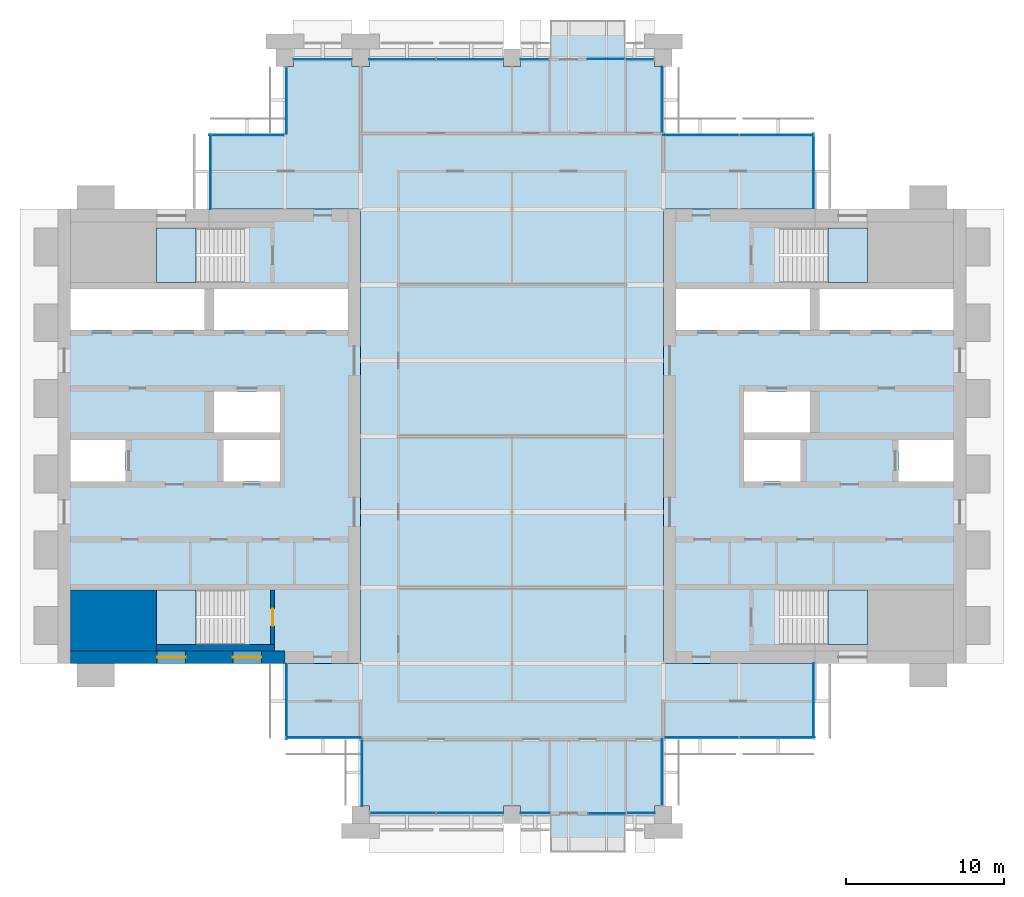
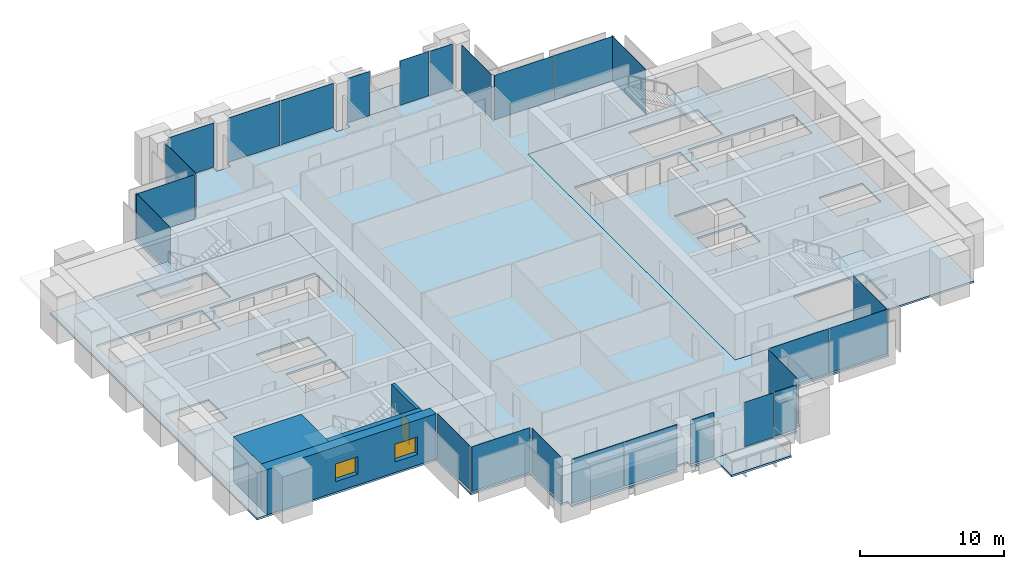
# One storey, part 7 of 14: 25 plates, 9 slabs, 4 walls, 2 windows, 1 door, 3 openings, 22 elements without a shape of their own.
"""IFC4 building model written with IfcOpenShell, lengths in metres."""

from ifc_helpers import new_model, si_unit, direction, frame, frame_2d, origin, origin_2d, place, context, subcontext, project, spatial, polyline, rectangle, outline, extrude, material, layer, layer_set, type_object, element, fill, aggregate, save


model = new_model("IFC4")

# Units and contexts
model_context = context("Model", 3, precision=1e-05, world=origin(), true_north=direction((0.0, 1.0)))
body_context = subcontext(model_context, "Body", "Model", "MODEL_VIEW")
ifc_project = project(units=[si_unit("LENGTHUNIT", "METRE"), si_unit("AREAUNIT", "SQUARE_METRE"), si_unit("VOLUMEUNIT", "CUBIC_METRE"), si_unit("PLANEANGLEUNIT", "RADIAN"), si_unit("MASSUNIT", "GRAM", prefix="KILO")], contexts=[model_context])

# Site, building, storey
site_placement = place(None, origin())
site = spatial("IfcSite", under=ifc_project, at=site_placement, CompositionType="ELEMENT")
building_placement = place(site_placement, origin())
building = spatial("IfcBuilding", under=site, at=building_placement, Name="Baori Bourse Tower", CompositionType="ELEMENT")
storey_placement = place(building_placement, frame((0.0, 0.0, 221.199951171875)))
storey = spatial("IfcBuildingStorey", under=building, at=storey_placement, Name="L48", CompositionType="ELEMENT", Elevation=221.199951171875)

# Slabs
ifc_material_1 = material(Name="Concrete f'c 40 MPa", Category="concrete")
ifc_layer_1 = layer(ifc_material_1, 0.159912109375)
ifc_layer_set_1 = layer_set([ifc_layer_1], Name="BL2 Balcony slab 160")
slab_type_1 = type_object("IfcSlabType", Name="BL2 Balcony slab 160", PredefinedType="FLOOR", material=ifc_layer_set_1)
slab_1_placement = place(storey_placement, frame((0.0, 0.0, -0.159912109375)))
element("IfcSlab", 1, at=slab_1_placement, inside=storey, type_object=slab_type_1, Name="Balcony slab L48 S", PredefinedType="FLOOR", context=body_context, shape_type="SweptSolid", body=[
    extrude(outline(polyline([(31.199951171875, 0.0), (31.199951171875, -2.39990234375), (36.0, -2.39990234375), (36.0, 0.0), (31.199951171875, 0.0)])), origin(), (0.0, 0.0, 1.0), 0.159912109375),
])
slab_2_placement = place(storey_placement, frame((0.0, 0.0, -0.159912109375)))
element("IfcSlab", 2, at=slab_2_placement, inside=storey, type_object=slab_type_1, Name="Balcony slab L48 N", PredefinedType="FLOOR", context=body_context, shape_type="SweptSolid", body=[
    extrude(outline(polyline([(31.199951171875, 48.0), (36.0, 48.0), (36.0, 50.39990234375), (31.199951171875, 50.39990234375), (31.199951171875, 48.0)])), origin(), (0.0, 0.0, 1.0), 0.159912109375),
])

# Curtain wall, plate
ifc_material_2 = material(Name="Pale anodised aluminium", Category="aluminium")
curtain_wall_type_1 = type_object("IfcCurtainWallType", Name="CW2 Curtain wall", PredefinedType="NOTDEFINED", material=ifc_material_2)
curtain_wall_1_placement = place(storey_placement, origin())
curtain_wall_1 = element("IfcCurtainWall", 3, at=curtain_wall_1_placement, inside=storey, type_object=curtain_wall_type_1, Name="Curtain wall CW2 L48 1", PredefinedType="NOTDEFINED")
ifc_material_3 = material(Name="Clear glass", Category="glass")
ifc_layer_2 = layer(ifc_material_3, 0.030029296875)
ifc_layer_set_2 = layer_set([ifc_layer_2], Name="CW2 Curtain wall panel")
plate_type_1 = type_object("IfcPlateType", Name="CW2 Curtain wall panel", PredefinedType="CURTAIN_PANEL", material=ifc_layer_set_2)
plate_1_placement = place(storey_placement, frame((47.909912109375, 40.827392578125, 0.070068359375), z_axis=(0.0, 0.0, 1.0), x_axis=(0.0, 1.0, 0.0)))
plate_1 = element("IfcPlate", 4, at=plate_1_placement, type_object=plate_type_1, Name="Curtain wall CW2 panel", PredefinedType="CURTAIN_PANEL", context=body_context, shape_type="SweptSolid", body=[
    extrude(rectangle(XDim=4.7451171875, YDim=0.030029296875, at=origin_2d()), origin(), (0.0, 0.0, 1.0), 3.77001953125),
])
aggregate(curtain_wall_1, [plate_1])

# Curtain wall, plates
curtain_wall_2_placement = place(storey_placement, origin())
curtain_wall_2 = element("IfcCurtainWall", 5, at=curtain_wall_2_placement, inside=storey, type_object=curtain_wall_type_1, Name="Curtain wall CW2 L48 2", PredefinedType="NOTDEFINED")
plate_2_placement = place(storey_placement, frame((45.586181640625, 43.110107421875, 0.070068359375), z_axis=(0.0, 0.0, 1.0), x_axis=(-1.0, 0.0, 0.0)))
plate_2 = element("IfcPlate", 6, at=plate_2_placement, type_object=plate_type_1, Name="Curtain wall CW2 panel", PredefinedType="CURTAIN_PANEL", context=body_context, shape_type="SweptSolid", body=[
    extrude(rectangle(XDim=4.717529296875, YDim=0.030029296875, at=origin_2d()), origin(), (0.0, 0.0, 1.0), 3.77001953125),
])
plate_3_placement = place(storey_placement, frame((40.7861328125, 43.110107421875, 0.070068359375), z_axis=(0.0, 0.0, 1.0), x_axis=(-1.0, 0.0, 0.0)))
plate_3 = element("IfcPlate", 7, at=plate_3_placement, type_object=plate_type_1, Name="Curtain wall CW2 panel", PredefinedType="CURTAIN_PANEL", context=body_context, shape_type="SweptSolid", body=[
    extrude(rectangle(XDim=4.7724609375, YDim=0.030029296875, at=origin_2d()), origin(), (0.0, 0.0, 1.0), 3.77001953125),
])
aggregate(curtain_wall_2, [plate_2, plate_3])

# Curtain wall, plate
curtain_wall_3_placement = place(storey_placement, origin())
curtain_wall_3 = element("IfcCurtainWall", 8, at=curtain_wall_3_placement, inside=storey, type_object=curtain_wall_type_1, Name="Curtain wall CW2 L48 3", PredefinedType="NOTDEFINED")
plate_4_placement = place(storey_placement, frame((38.31005859375, 45.3525390625, 0.070068359375), z_axis=(0.0, 0.0, 1.0), x_axis=(0.0, 1.0, 0.0)))
plate_4 = element("IfcPlate", 9, at=plate_4_placement, type_object=plate_type_1, Name="Curtain wall CW2 panel", PredefinedType="CURTAIN_PANEL", context=body_context, shape_type="SweptSolid", body=[
    extrude(rectangle(XDim=4.195068359375, YDim=0.030029296875, at=origin_2d()), origin(), (0.0, 0.0, 1.0), 3.77001953125),
])
aggregate(curtain_wall_3, [plate_4])

curtain_wall_4_placement = place(storey_placement, origin())
curtain_wall_4 = element("IfcCurtainWall", 10, at=curtain_wall_4_placement, inside=storey, type_object=curtain_wall_type_1, Name="Curtain wall CW2 L48 7", PredefinedType="NOTDEFINED")
plate_5_placement = place(storey_placement, frame((14.489990234375, 45.297607421875, 0.070068359375), z_axis=(0.0, 0.0, 1.0), x_axis=(0.0, -1.0, 0.0)))
plate_5 = element("IfcPlate", 11, at=plate_5_placement, type_object=plate_type_1, Name="Curtain wall CW2 panel", PredefinedType="CURTAIN_PANEL", context=body_context, shape_type="SweptSolid", body=[
    extrude(rectangle(XDim=4.195068359375, YDim=0.030029296875, at=origin_2d()), origin(), (0.0, 0.0, 1.0), 3.77001953125),
])
aggregate(curtain_wall_4, [plate_5])

curtain_wall_5_placement = place(storey_placement, origin())
curtain_wall_5 = element("IfcCurtainWall", 12, at=curtain_wall_5_placement, inside=storey, type_object=curtain_wall_type_1, Name="Curtain wall CW2 L48 8", PredefinedType="NOTDEFINED")
plate_6_placement = place(storey_placement, frame((11.972412109375, 43.110107421875, 0.070068359375), z_axis=(0.0, 0.0, 1.0), x_axis=(-1.0, 0.0, 0.0)))
plate_6 = element("IfcPlate", 13, at=plate_6_placement, type_object=plate_type_1, Name="Curtain wall CW2 panel", PredefinedType="CURTAIN_PANEL", context=body_context, shape_type="SweptSolid", body=[
    extrude(rectangle(XDim=4.7451171875, YDim=0.030029296875, at=origin_2d()), origin(), (0.0, 0.0, 1.0), 3.77001953125),
])
aggregate(curtain_wall_5, [plate_6])

curtain_wall_6_placement = place(storey_placement, origin())
curtain_wall_6 = element("IfcCurtainWall", 14, at=curtain_wall_6_placement, inside=storey, type_object=curtain_wall_type_1, Name="Curtain wall CW2 L48 9", PredefinedType="NOTDEFINED")
plate_7_placement = place(storey_placement, frame((9.68994140625, 40.7724609375, 0.070068359375), z_axis=(0.0, 0.0, 1.0), x_axis=(0.0, -1.0, 0.0)))
plate_7 = element("IfcPlate", 15, at=plate_7_placement, type_object=plate_type_1, Name="Curtain wall CW2 panel", PredefinedType="CURTAIN_PANEL", context=body_context, shape_type="SweptSolid", body=[
    extrude(rectangle(XDim=4.7451171875, YDim=0.030029296875, at=origin_2d()), origin(), (0.0, 0.0, 1.0), 3.77001953125),
])
aggregate(curtain_wall_6, [plate_7])

curtain_wall_7_placement = place(storey_placement, origin())
curtain_wall_7 = element("IfcCurtainWall", 16, at=curtain_wall_7_placement, inside=storey, type_object=curtain_wall_type_1, Name="Curtain wall CW2 L48 10", PredefinedType="NOTDEFINED")
plate_8_placement = place(storey_placement, frame((14.489990234375, 7.172607421875, 0.070068359375), z_axis=(0.0, 0.0, 1.0), x_axis=(0.0, -1.0, 0.0)))
plate_8 = element("IfcPlate", 17, at=plate_8_placement, type_object=plate_type_1, Name="Curtain wall CW2 panel", PredefinedType="CURTAIN_PANEL", context=body_context, shape_type="SweptSolid", body=[
    extrude(rectangle(XDim=4.7451171875, YDim=0.030029296875, at=origin_2d()), origin(), (0.0, 0.0, 1.0), 3.77001953125),
])
aggregate(curtain_wall_7, [plate_8])

curtain_wall_8_placement = place(storey_placement, origin())
curtain_wall_8 = element("IfcCurtainWall", 18, at=curtain_wall_8_placement, inside=storey, type_object=curtain_wall_type_1, Name="Curtain wall CW2 L48 11", PredefinedType="NOTDEFINED")
plate_9_placement = place(storey_placement, frame((16.827392578125, 4.889892578125, 0.070068359375), z_axis=(0.0, 0.0, 1.0), x_axis=(1.0, 0.0, 0.0)))
plate_9 = element("IfcPlate", 19, at=plate_9_placement, type_object=plate_type_1, Name="Curtain wall CW2 panel", PredefinedType="CURTAIN_PANEL", context=body_context, shape_type="SweptSolid", body=[
    extrude(rectangle(XDim=4.7451171875, YDim=0.030029296875, at=origin_2d()), origin(), (0.0, 0.0, 1.0), 3.77001953125),
])
aggregate(curtain_wall_8, [plate_9])

curtain_wall_9_placement = place(storey_placement, origin())
curtain_wall_9 = element("IfcCurtainWall", 20, at=curtain_wall_9_placement, inside=storey, type_object=curtain_wall_type_1, Name="Curtain wall CW2 L48 12", PredefinedType="NOTDEFINED")
plate_10_placement = place(storey_placement, frame((19.2900390625, 2.6474609375, 0.070068359375), z_axis=(0.0, 0.0, 1.0), x_axis=(0.0, -1.0, 0.0)))
plate_10 = element("IfcPlate", 21, at=plate_10_placement, type_object=plate_type_1, Name="Curtain wall CW2 panel", PredefinedType="CURTAIN_PANEL", context=body_context, shape_type="SweptSolid", body=[
    extrude(rectangle(XDim=4.195068359375, YDim=0.030029296875, at=origin_2d()), origin(), (0.0, 0.0, 1.0), 3.77001953125),
])
aggregate(curtain_wall_9, [plate_10])

curtain_wall_10_placement = place(storey_placement, origin())
curtain_wall_10 = element("IfcCurtainWall", 22, at=curtain_wall_10_placement, inside=storey, type_object=curtain_wall_type_1, Name="Curtain wall CW2 L48 16", PredefinedType="NOTDEFINED")
plate_11_placement = place(storey_placement, frame((38.31005859375, 2.702392578125, 0.070068359375), z_axis=(0.0, 0.0, 1.0), x_axis=(0.0, 1.0, 0.0)))
plate_11 = element("IfcPlate", 23, at=plate_11_placement, type_object=plate_type_1, Name="Curtain wall CW2 panel", PredefinedType="CURTAIN_PANEL", context=body_context, shape_type="SweptSolid", body=[
    extrude(rectangle(XDim=4.195068359375, YDim=0.030029296875, at=origin_2d()), origin(), (0.0, 0.0, 1.0), 3.77001953125),
])
aggregate(curtain_wall_10, [plate_11])

# Curtain wall, plates
curtain_wall_11_placement = place(storey_placement, origin())
curtain_wall_11 = element("IfcCurtainWall", 24, at=curtain_wall_11_placement, inside=storey, type_object=curtain_wall_type_1, Name="Curtain wall CW2 L48 17", PredefinedType="NOTDEFINED")
plate_12_placement = place(storey_placement, frame((40.813720703125, 4.889892578125, 0.070068359375), z_axis=(0.0, 0.0, 1.0), x_axis=(1.0, 0.0, 0.0)))
plate_12 = element("IfcPlate", 25, at=plate_12_placement, type_object=plate_type_1, Name="Curtain wall CW2 panel", PredefinedType="CURTAIN_PANEL", context=body_context, shape_type="SweptSolid", body=[
    extrude(rectangle(XDim=4.717529296875, YDim=0.030029296875, at=origin_2d()), origin(), (0.0, 0.0, 1.0), 3.77001953125),
])
plate_13_placement = place(storey_placement, frame((45.61376953125, 4.889892578125, 0.070068359375), z_axis=(0.0, 0.0, 1.0), x_axis=(1.0, 0.0, 0.0)))
plate_13 = element("IfcPlate", 26, at=plate_13_placement, type_object=plate_type_1, Name="Curtain wall CW2 panel", PredefinedType="CURTAIN_PANEL", context=body_context, shape_type="SweptSolid", body=[
    extrude(rectangle(XDim=4.7724609375, YDim=0.030029296875, at=origin_2d()), origin(), (0.0, 0.0, 1.0), 3.77001953125),
])
aggregate(curtain_wall_11, [plate_12, plate_13])

# Curtain wall, plate
curtain_wall_12_placement = place(storey_placement, origin())
curtain_wall_12 = element("IfcCurtainWall", 27, at=curtain_wall_12_placement, inside=storey, type_object=curtain_wall_type_1, Name="Curtain wall CW2 L48 18", PredefinedType="NOTDEFINED")
plate_14_placement = place(storey_placement, frame((47.909912109375, 7.2275390625, 0.070068359375), z_axis=(0.0, 0.0, 1.0), x_axis=(0.0, 1.0, 0.0)))
plate_14 = element("IfcPlate", 28, at=plate_14_placement, type_object=plate_type_1, Name="Curtain wall CW2 panel", PredefinedType="CURTAIN_PANEL", context=body_context, shape_type="SweptSolid", body=[
    extrude(rectangle(XDim=4.7451171875, YDim=0.030029296875, at=origin_2d()), origin(), (0.0, 0.0, 1.0), 3.77001953125),
])
aggregate(curtain_wall_12, [plate_14])

ifc_material_4 = material(Name="Pale anodised aluminium", Category="aluminium")
curtain_wall_type_2 = type_object("IfcCurtainWallType", Name="CW5 Curtain wall", PredefinedType="NOTDEFINED", material=ifc_material_4)
curtain_wall_13_placement = place(storey_placement, origin())
curtain_wall_13 = element("IfcCurtainWall", 29, at=curtain_wall_13_placement, inside=storey, type_object=curtain_wall_type_2, Name="Curtain wall CW5 L48 4", PredefinedType="NOTDEFINED")
ifc_material_5 = material(Name="Clear glass", Category="glass")
ifc_layer_3 = layer(ifc_material_5, 0.035888671875)
ifc_layer_set_3 = layer_set([ifc_layer_3], Name="CW5 Curtain wall panel")
plate_type_2 = type_object("IfcPlateType", Name="CW5 Curtain wall panel", PredefinedType="CURTAIN_PANEL", material=ifc_layer_set_3)
plate_15_placement = place(storey_placement, frame((36.892578125, 47.889892578125, 0.085205078125), z_axis=(0.0, 0.0, 1.0), x_axis=(-1.0, 0.0, 0.0)))
plate_15 = element("IfcPlate", 30, at=plate_15_placement, type_object=plate_type_2, Name="Curtain wall CW5 panel", PredefinedType="CURTAIN_PANEL", context=body_context, shape_type="SweptSolid", body=[
    extrude(rectangle(XDim=1.784912109375, YDim=0.035888671875, at=origin_2d()), origin(), (0.0, 0.0, 1.0), 3.7548828125),
])
aggregate(curtain_wall_13, [plate_15])

# Curtain wall, plates
curtain_wall_14_placement = place(storey_placement, origin())
curtain_wall_14 = element("IfcCurtainWall", 31, at=curtain_wall_14_placement, inside=storey, type_object=curtain_wall_type_2, Name="Curtain wall CW5 L48 6", PredefinedType="NOTDEFINED")
plate_16_placement = place(storey_placement, frame((30.242431640625, 47.889892578125, 0.085205078125), z_axis=(0.0, 0.0, 1.0), x_axis=(-1.0, 0.0, 0.0)))
plate_16 = element("IfcPlate", 32, at=plate_16_placement, type_object=plate_type_2, Name="Curtain wall CW5 panel", PredefinedType="CURTAIN_PANEL", context=body_context, shape_type="SweptSolid", body=[
    extrude(rectangle(XDim=1.784912109375, YDim=0.035888671875, at=origin_2d()), origin(), (0.0, 0.0, 1.0), 3.7548828125),
])
plate_17_placement = place(storey_placement, frame((26.141357421875, 47.889892578125, 0.085205078125), z_axis=(0.0, 0.0, 1.0), x_axis=(-1.0, 0.0, 0.0)))
plate_17 = element("IfcPlate", 33, at=plate_17_placement, type_object=plate_type_2, Name="Curtain wall CW5 panel", PredefinedType="CURTAIN_PANEL", context=body_context, shape_type="SweptSolid", body=[
    extrude(rectangle(XDim=4.217529296875, YDim=0.035888671875, at=origin_2d()), origin(), (0.0, 0.0, 1.0), 3.7548828125),
])
plate_18_placement = place(storey_placement, frame((21.858642578125, 47.889892578125, 0.085205078125), z_axis=(0.0, 0.0, 1.0), x_axis=(-1.0, 0.0, 0.0)))
plate_18 = element("IfcPlate", 34, at=plate_18_placement, type_object=plate_type_2, Name="Curtain wall CW5 panel", PredefinedType="CURTAIN_PANEL", context=body_context, shape_type="SweptSolid", body=[
    extrude(rectangle(XDim=4.217529296875, YDim=0.035888671875, at=origin_2d()), origin(), (0.0, 0.0, 1.0), 3.7548828125),
])
plate_19_placement = place(storey_placement, frame((16.800048828125, 47.889892578125, 0.085205078125), z_axis=(0.0, 0.0, 1.0), x_axis=(-1.0, 0.0, 0.0)))
plate_19 = element("IfcPlate", 35, at=plate_19_placement, type_object=plate_type_2, Name="Curtain wall CW5 panel", PredefinedType="CURTAIN_PANEL", context=body_context, shape_type="SweptSolid", body=[
    extrude(rectangle(XDim=3.699951171875, YDim=0.035888671875, at=origin_2d()), origin(), (0.0, 0.0, 1.0), 3.7548828125),
])
aggregate(curtain_wall_14, [plate_16, plate_17, plate_18, plate_19])

curtain_wall_15_placement = place(storey_placement, origin())
curtain_wall_15 = element("IfcCurtainWall", 36, at=curtain_wall_15_placement, inside=storey, type_object=curtain_wall_type_2, Name="Curtain wall CW5 L48 13", PredefinedType="NOTDEFINED")
plate_20_placement = place(storey_placement, frame((21.891357421875, 0.110107421875, 0.085205078125), z_axis=(0.0, 0.0, 1.0), x_axis=(1.0, 0.0, 0.0)))
plate_20 = element("IfcPlate", 37, at=plate_20_placement, type_object=plate_type_2, Name="Curtain wall CW5 panel", PredefinedType="CURTAIN_PANEL", context=body_context, shape_type="SweptSolid", body=[
    extrude(rectangle(XDim=4.152587890625, YDim=0.035888671875, at=origin_2d()), origin(), (0.0, 0.0, 1.0), 3.7548828125),
])
plate_21_placement = place(storey_placement, frame((26.141357421875, 0.110107421875, 0.085205078125), z_axis=(0.0, 0.0, 1.0), x_axis=(1.0, 0.0, 0.0)))
plate_21 = element("IfcPlate", 38, at=plate_21_placement, type_object=plate_type_2, Name="Curtain wall CW5 panel", PredefinedType="CURTAIN_PANEL", context=body_context, shape_type="SweptSolid", body=[
    extrude(rectangle(XDim=4.217529296875, YDim=0.035888671875, at=origin_2d()), origin(), (0.0, 0.0, 1.0), 3.7548828125),
])
plate_22_placement = place(storey_placement, frame((30.27490234375, 0.110107421875, 0.085205078125), z_axis=(0.0, 0.0, 1.0), x_axis=(1.0, 0.0, 0.0)))
plate_22 = element("IfcPlate", 39, at=plate_22_placement, type_object=plate_type_2, Name="Curtain wall CW5 panel", PredefinedType="CURTAIN_PANEL", context=body_context, shape_type="SweptSolid", body=[
    extrude(rectangle(XDim=1.85009765625, YDim=0.035888671875, at=origin_2d()), origin(), (0.0, 0.0, 1.0), 3.7548828125),
])
aggregate(curtain_wall_15, [plate_20, plate_21, plate_22])

# Curtain wall, plate
curtain_wall_16_placement = place(storey_placement, origin())
curtain_wall_16 = element("IfcCurtainWall", 40, at=curtain_wall_16_placement, inside=storey, type_object=curtain_wall_type_2, Name="Curtain wall CW5 L48 15", PredefinedType="NOTDEFINED")
plate_23_placement = place(storey_placement, frame((36.95751953125, 0.110107421875, 0.085205078125), z_axis=(0.0, 0.0, 1.0), x_axis=(1.0, 0.0, 0.0)))
plate_23 = element("IfcPlate", 41, at=plate_23_placement, type_object=plate_type_2, Name="Curtain wall CW5 panel", PredefinedType="CURTAIN_PANEL", context=body_context, shape_type="SweptSolid", body=[
    extrude(rectangle(XDim=1.784912109375, YDim=0.035888671875, at=origin_2d()), origin(), (0.0, 0.0, 1.0), 3.7548828125),
])
aggregate(curtain_wall_16, [plate_23])

ifc_material_6 = material(Name="Pale anodised aluminium", Category="aluminium")
curtain_wall_type_3 = type_object("IfcCurtainWallType", Name="CW6 Curtain wall", PredefinedType="NOTDEFINED", material=ifc_material_6)
curtain_wall_17_placement = place(storey_placement, origin())
curtain_wall_17 = element("IfcCurtainWall", 42, at=curtain_wall_17_placement, inside=storey, type_object=curtain_wall_type_3, Name="Curtain wall CW6 L48 5", PredefinedType="NOTDEFINED")
ifc_material_7 = material(Name="Clear glass", Category="glass")
ifc_layer_4 = layer(ifc_material_7, 0.028076171875)
ifc_layer_set_4 = layer_set([ifc_layer_4], Name="CW6 Curtain wall panel")
plate_type_3 = type_object("IfcPlateType", Name="CW6 Curtain wall panel", PredefinedType="CURTAIN_PANEL", material=ifc_layer_set_4)
plate_24_placement = place(storey_placement, frame((34.77490234375, 47.925048828125, 0.065185546875), z_axis=(0.0, 0.0, 1.0), x_axis=(-1.0, 0.0, 0.0)))
plate_24 = element("IfcPlate", 43, at=plate_24_placement, type_object=plate_type_3, Name="Curtain wall CW6 panel", PredefinedType="CURTAIN_PANEL", context=body_context, shape_type="SweptSolid", body=[
    extrude(rectangle(XDim=2.35009765625, YDim=0.028076171875, at=origin_2d()), origin(), (0.0, 0.0, 1.0), 3.77490234375),
])
aggregate(curtain_wall_17, [plate_24])

curtain_wall_18_placement = place(storey_placement, origin())
curtain_wall_18 = element("IfcCurtainWall", 44, at=curtain_wall_18_placement, inside=storey, type_object=curtain_wall_type_3, Name="Curtain wall CW6 L48 14", PredefinedType="NOTDEFINED")
plate_25_placement = place(storey_placement, frame((34.824951171875, 0.074951171875, 0.065185546875), z_axis=(0.0, 0.0, 1.0), x_axis=(1.0, 0.0, 0.0)))
plate_25 = element("IfcPlate", 45, at=plate_25_placement, type_object=plate_type_3, Name="Curtain wall CW6 panel", PredefinedType="CURTAIN_PANEL", context=body_context, shape_type="SweptSolid", body=[
    extrude(rectangle(XDim=2.35009765625, YDim=0.028076171875, at=origin_2d()), origin(), (0.0, 0.0, 1.0), 3.77490234375),
])
aggregate(curtain_wall_18, [plate_25])

# Slabs
ifc_material_8 = material(Name="Concrete f'c 50 MPa", Category="concrete")
ifc_layer_5 = layer(ifc_material_8, 0.159912109375)
ifc_layer_set_5 = layer_set([ifc_layer_5], Name="Core slab 160")
slab_type_2 = type_object("IfcSlabType", Name="Core slab 160", PredefinedType="FLOOR", material=ifc_layer_set_5)
slab_3_placement = place(storey_placement, frame((0.0, 0.0, -0.159912109375)))
element("IfcSlab", 46, at=slab_3_placement, inside=storey, type_object=slab_type_2, Name="Core floor slab W01", PredefinedType="FLOOR", context=body_context, shape_type="SweptSolid", body=[
    extrude(outline(polyline([(19.199951171875, 38.39990234375), (0.0, 38.39990234375), (0.0, 9.60009765625), (19.199951171875, 9.60009765625), (19.199951171875, 38.39990234375)]), holes=[polyline([(9.89990234375, 33.35009765625), (18.39990234375, 33.35009765625), (18.39990234375, 30.75), (9.89990234375, 30.75), (9.89990234375, 33.35009765625)]), polyline([(10.5, 21.14990234375), (10.5, 23.75), (14.10009765625, 23.75), (14.10009765625, 21.14990234375), (10.5, 21.14990234375)]), polyline([(14.10009765625, 24.25), (9.89990234375, 24.25), (9.89990234375, 26.85009765625), (14.10009765625, 26.85009765625), (14.10009765625, 24.25)]), polyline([(6.25, 14.25), (11.84912109375, 14.25), (11.84912109375, 10.800048828125), (6.25, 10.800048828125), (6.25, 14.25)]), polyline([(11.84912109375, 37.199951171875), (11.84912109375, 33.75), (6.25, 33.75), (6.25, 37.199951171875), (11.84912109375, 37.199951171875)]), polyline([(0.800048828125, 30.75), (0.800048828125, 33.35009765625), (9.300048828125, 33.35009765625), (9.300048828125, 30.75), (0.800048828125, 30.75)]), polyline([(4.300048828125, 23.75), (4.300048828125, 21.14990234375), (0.800048828125, 21.14990234375), (0.800048828125, 23.75), (4.300048828125, 23.75)])]), origin(), (0.0, 0.0, 1.0), 0.159912109375),
])
slab_4_placement = place(storey_placement, frame((0.0, 0.0, -0.159912109375)))
element("IfcSlab", 47, at=slab_4_placement, inside=storey, type_object=slab_type_2, Name="Core floor slab E01", PredefinedType="FLOOR", context=body_context, shape_type="SweptSolid", body=[
    extrude(outline(polyline([(57.60009765625, 9.60009765625), (57.60009765625, 38.39990234375), (38.39990234375, 38.39990234375), (38.39990234375, 9.60009765625), (57.60009765625, 9.60009765625)]), holes=[polyline([(48.300048828125, 33.35009765625), (56.800048828125, 33.35009765625), (56.800048828125, 30.75), (48.300048828125, 30.75), (48.300048828125, 33.35009765625)]), polyline([(56.800048828125, 21.14990234375), (53.300048828125, 21.14990234375), (53.300048828125, 23.75), (56.800048828125, 23.75), (56.800048828125, 21.14990234375)]), polyline([(45.750732421875, 14.25), (51.35009765625, 14.25), (51.35009765625, 10.800048828125), (45.750732421875, 10.800048828125), (45.750732421875, 14.25)]), polyline([(51.35009765625, 37.199951171875), (51.35009765625, 33.75), (45.750732421875, 33.75), (45.750732421875, 37.199951171875), (51.35009765625, 37.199951171875)]), polyline([(43.5, 24.25), (43.5, 26.85009765625), (47.699951171875, 26.85009765625), (47.699951171875, 24.25), (43.5, 24.25)]), polyline([(47.699951171875, 33.35009765625), (47.699951171875, 30.75), (39.199951171875, 30.75), (39.199951171875, 33.35009765625), (47.699951171875, 33.35009765625)]), polyline([(43.5, 23.75), (47.10009765625, 23.75), (47.10009765625, 21.14990234375), (43.5, 21.14990234375), (43.5, 23.75)])]), origin(), (0.0, 0.0, 1.0), 0.159912109375),
])

# Stair, slab
ifc_material_9 = material(Name="Concrete f'c 50 MPa", Category="concrete")
stair_type = type_object("IfcStairType", Name="Core stair", PredefinedType="HALF_TURN_STAIR", material=ifc_material_9)
stair_1_placement = place(storey_placement, origin())
stair_1 = element("IfcStair", 48, at=stair_1_placement, inside=storey, type_object=stair_type, Name="L48 Stair WA", PredefinedType="HALF_TURN_STAIR")
ifc_material_10 = material(Name="Concrete f'c 50 MPa", Category="concrete")
slab_type_3 = type_object("IfcSlabType", Name="Core stair landing", PredefinedType="LANDING", material=ifc_material_10)
slab_5_placement = place(storey_placement, frame((0.0, 0.0, 1.800048828125)))
slab_5 = element("IfcSlab", 49, at=slab_5_placement, type_object=slab_type_3, Name="ST1 landing 1", PredefinedType="LANDING", context=body_context, shape_type="SweptSolid", body=[
    extrude(outline(polyline([(8.77001953125, 14.25), (6.25, 14.25), (6.25, 10.800048828125), (8.77001953125, 10.800048828125), (8.77001953125, 14.25)])), origin(), (0.0, 0.0, 1.0), 0.199951171875),
])
aggregate(stair_1, [slab_5])

stair_2_placement = place(storey_placement, origin())
stair_2 = element("IfcStair", 50, at=stair_2_placement, inside=storey, type_object=stair_type, Name="L48 Stair WB", PredefinedType="HALF_TURN_STAIR")
slab_6_placement = place(storey_placement, frame((0.0, 0.0, 1.800048828125)))
slab_6 = element("IfcSlab", 51, at=slab_6_placement, type_object=slab_type_3, Name="ST2 landing 1", PredefinedType="LANDING", context=body_context, shape_type="SweptSolid", body=[
    extrude(outline(polyline([(8.77001953125, 37.199951171875), (6.25, 37.199951171875), (6.25, 33.75), (8.77001953125, 33.75), (8.77001953125, 37.199951171875)])), origin(), (0.0, 0.0, 1.0), 0.199951171875),
])
aggregate(stair_2, [slab_6])

stair_3_placement = place(storey_placement, origin())
stair_3 = element("IfcStair", 52, at=stair_3_placement, inside=storey, type_object=stair_type, Name="L48 Stair EA", PredefinedType="HALF_TURN_STAIR")
slab_7_placement = place(storey_placement, frame((0.0, 0.0, 1.800048828125)))
slab_7 = element("IfcSlab", 53, at=slab_7_placement, type_object=slab_type_3, Name="ST3 landing 1", PredefinedType="LANDING", context=body_context, shape_type="SweptSolid", body=[
    extrude(outline(polyline([(48.830078125, 10.800048828125), (51.35009765625, 10.800048828125), (51.35009765625, 14.25), (48.830078125, 14.25), (48.830078125, 10.800048828125)])), origin(), (0.0, 0.0, 1.0), 0.199951171875),
])
aggregate(stair_3, [slab_7])

stair_4_placement = place(storey_placement, origin())
stair_4 = element("IfcStair", 54, at=stair_4_placement, inside=storey, type_object=stair_type, Name="L48 Stair EB", PredefinedType="HALF_TURN_STAIR")
slab_8_placement = place(storey_placement, frame((0.0, 0.0, 1.800048828125)))
slab_8 = element("IfcSlab", 55, at=slab_8_placement, type_object=slab_type_3, Name="ST4 landing 1", PredefinedType="LANDING", context=body_context, shape_type="SweptSolid", body=[
    extrude(outline(polyline([(48.830078125, 33.75), (51.35009765625, 33.75), (51.35009765625, 37.199951171875), (48.830078125, 37.199951171875), (48.830078125, 33.75)])), origin(), (0.0, 0.0, 1.0), 0.199951171875),
])
aggregate(stair_4, [slab_8])

# Slab
ifc_material_11 = material(Name="Concrete f'c 40 MPa", Category="concrete")
ifc_layer_6 = layer(ifc_material_11, 0.159912109375)
ifc_layer_set_6 = layer_set([ifc_layer_6], Name="Floor slab 160")
slab_type_4 = type_object("IfcSlabType", Name="Floor slab 160", PredefinedType="FLOOR", material=ifc_layer_set_6)
slab_9_placement = place(storey_placement, frame((0.0, 0.0, -0.159912109375)))
element("IfcSlab", 56, at=slab_9_placement, inside=storey, type_object=slab_type_4, Name="Floor slab L48", PredefinedType="FLOOR", context=body_context, shape_type="SweptSolid", body=[
    extrude(outline(polyline([(19.199951171875, 4.800048828125), (14.39990234375, 4.800048828125), (14.39990234375, 9.60009765625), (19.199951171875, 9.60009765625), (19.199951171875, 38.39990234375), (9.60009765625, 38.39990234375), (9.60009765625, 43.199951171875), (14.39990234375, 43.199951171875), (14.39990234375, 47.449951171875), (14.949951171875, 47.449951171875), (14.949951171875, 48.0), (18.64990234375, 48.0), (18.64990234375, 47.449951171875), (19.75, 47.449951171875), (19.75, 48.0), (28.25, 48.0), (28.25, 47.449951171875), (29.35009765625, 47.449951171875), (29.35009765625, 48.0), (37.85009765625, 48.0), (37.85009765625, 47.449951171875), (38.39990234375, 47.449951171875), (38.39990234375, 43.199951171875), (48.0, 43.199951171875), (48.0, 38.39990234375), (38.39990234375, 38.39990234375), (38.39990234375, 9.60009765625), (48.0, 9.60009765625), (48.0, 4.800048828125), (38.39990234375, 4.800048828125), (38.39990234375, 0.550048828125), (37.85009765625, 0.550048828125), (37.85009765625, 0.0), (29.35009765625, 0.0), (29.35009765625, 0.550048828125), (28.25, 0.550048828125), (28.25, 0.0), (19.75, 0.0), (19.75, 0.550048828125), (19.199951171875, 0.550048828125), (19.199951171875, 4.800048828125)])), origin(), (0.0, 0.0, 1.0), 0.159912109375),
])

# Wall
ifc_material_12 = material(Name="Concrete f'c 50 MPa", Category="concrete")
wall_type_1 = type_object("IfcWallType", Name="Core corner block f'c 50", PredefinedType="SHEAR", material=ifc_material_12)
wall_1_placement = place(storey_placement, frame((0.800048828125, 12.324951171875, 0.0), z_axis=(0.0, 0.0, 1.0), x_axis=(1.0, 0.0, 0.0)))
element("IfcWall", 57, at=wall_1_placement, inside=storey, type_object=wall_type_1, Name="Core wall W05", PredefinedType="SHEAR", context=body_context, shape_type="SweptSolid", body=[
    extrude(rectangle(XDim=5.449951171875, YDim=3.85009765625, at=frame_2d((2.72509765625, 0.0))), origin(), (0.0, 0.0, 1.0), 3.840087890625),
])

# Wall, openings, windows
ifc_material_13 = material(Name="Concrete f'c 50 MPa", Category="concrete")
ifc_layer_7 = layer(ifc_material_13, 0.800048828125)
ifc_layer_set_7 = layer_set([ifc_layer_7], Name="Core wall 800 f'c 50")
wall_type_2 = type_object("IfcWallType", Name="Core wall 800 f'c 50", PredefinedType="SHEAR", material=ifc_layer_set_7)
wall_2_placement = place(storey_placement, frame((14.39990234375, 10.0, 0.0), z_axis=(0.0, 0.0, 1.0), x_axis=(-1.0, 0.0, 0.0)))
wall_2 = element("IfcWall", 58, at=wall_2_placement, inside=storey, type_object=wall_type_2, Name="Core wall W02", PredefinedType="SHEAR", context=body_context, shape_type="SweptSolid", body=[
    extrude(rectangle(XDim=13.599853515625, YDim=0.800048828125, at=frame_2d((6.7998046875, 0.0))), origin(), (0.0, 0.0, 1.0), 3.840087890625),
])
opening_1_placement = place(wall_2_placement, frame((6.300048828125, 0.0, 0.89990234375)))
opening_1 = element("IfcOpeningElement", 59, at=opening_1_placement, cuts=wall_2, Name="Opening L48-KW103", PredefinedType="OPENING", context=body_context, shape_type="SweptSolid", body=[
    extrude(rectangle(XDim=1.800048828125, YDim=1.5, at=frame_2d((0.89990234375, 0.75))), frame((0.0, 0.409912109375, 0.0), z_axis=(0.0, -1.0, 0.0), x_axis=(1.0, 0.0, 0.0)), (0.0, 0.0, 1.0), 0.820068359375),
])
opening_2_placement = place(wall_2_placement, frame((1.5, 0.0, 0.89990234375)))
opening_2 = element("IfcOpeningElement", 60, at=opening_2_placement, cuts=wall_2, Name="Opening L48-KW104", PredefinedType="OPENING", context=body_context, shape_type="SweptSolid", body=[
    extrude(rectangle(XDim=1.800048828125, YDim=1.5, at=frame_2d((0.89990234375, 0.75))), frame((0.0, 0.409912109375, 0.0), z_axis=(0.0, -1.0, 0.0), x_axis=(1.0, 0.0, 0.0)), (0.0, 0.0, 1.0), 0.820068359375),
])
ifc_material_14 = material(Name="Pale anodised aluminium", Category="aluminium")
window_type = type_object("IfcWindowType", Name="Stair window 1800 x 1500", PartitioningType="SINGLE_PANEL", PredefinedType="WINDOW", material=ifc_material_14)
window_1_placement = place(opening_1_placement, origin())
window_1 = element("IfcWindow", 61, at=window_1_placement, inside=storey, type_object=window_type, Name="Stair window W L48 3", OverallHeight=1.5, OverallWidth=1.800048828125, PartitioningType="SINGLE_PANEL", PredefinedType="WINDOW", context=body_context, shape_type="SweptSolid", body=[
    extrude(rectangle(XDim=1.800048828125, YDim=1.5, at=frame_2d((0.89990234375, 0.75))), frame((0.0, 0.030029296875, 0.0), z_axis=(0.0, -1.0, 0.0), x_axis=(1.0, 0.0, 0.0)), (0.0, 0.0, 1.0), 0.06005859375),
])
fill(opening_1, window_1)
window_2_placement = place(opening_2_placement, origin())
window_2 = element("IfcWindow", 62, at=window_2_placement, inside=storey, type_object=window_type, Name="Stair window W L48 4", OverallHeight=1.5, OverallWidth=1.800048828125, PartitioningType="SINGLE_PANEL", PredefinedType="WINDOW", context=body_context, shape_type="SweptSolid", body=[
    extrude(rectangle(XDim=1.800048828125, YDim=1.5, at=frame_2d((0.89990234375, 0.75))), frame((0.0, 0.030029296875, 0.0), z_axis=(0.0, -1.0, 0.0), x_axis=(1.0, 0.0, 0.0)), (0.0, 0.0, 1.0), 0.06005859375),
])
fill(opening_2, window_2)

# Wall, opening, door
ifc_material_15 = material(Name="Concrete f'c 50 MPa", Category="concrete")
ifc_layer_8 = layer(ifc_material_15, 0.25)
ifc_layer_set_8 = layer_set([ifc_layer_8], Name="Shaft wall 250 f'c 50")
wall_type_3 = type_object("IfcWallType", Name="Shaft wall 250 f'c 50", PredefinedType="SHEAR", material=ifc_layer_set_8)
wall_3_placement = place(storey_placement, frame((13.625, 10.800048828125, 0.0), z_axis=(0.0, 0.0, 1.0), x_axis=(0.0, 1.0, 0.0)))
wall_3 = element("IfcWall", 63, at=wall_3_placement, inside=storey, type_object=wall_type_3, Name="Core wall W07", PredefinedType="SHEAR", context=body_context, shape_type="SweptSolid", body=[
    extrude(rectangle(XDim=3.449951171875, YDim=0.25, at=frame_2d((1.72509765625, 0.0))), origin(), (0.0, 0.0, 1.0), 3.840087890625),
])
opening_3_placement = place(wall_3_placement, frame((1.175048828125, 0.0, 0.0)))
opening_3 = element("IfcOpeningElement", 64, at=opening_3_placement, cuts=wall_3, Name="Opening L48-D101", PredefinedType="OPENING", context=body_context, shape_type="SweptSolid", body=[
    extrude(rectangle(XDim=1.10009765625, YDim=2.10009765625, at=frame_2d((0.550048828125, 1.050048828125))), frame((0.0, 0.135009765625, 0.0), z_axis=(0.0, -1.0, 0.0), x_axis=(1.0, 0.0, 0.0)), (0.0, 0.0, 1.0), 0.27001953125),
])
ifc_material_16 = material(Name="Painted steel door", Category="steel")
door_type = type_object("IfcDoorType", Name="Stair door 1100", OperationType="SINGLE_SWING_LEFT", PredefinedType="DOOR", material=ifc_material_16)
door_placement = place(opening_3_placement, origin())
door = element("IfcDoor", 65, at=door_placement, inside=storey, type_object=door_type, Name="Stair door A W L48", OperationType="SINGLE_SWING_LEFT", OverallHeight=2.10009765625, OverallWidth=1.10009765625, PredefinedType="DOOR", context=body_context, shape_type="SweptSolid", body=[
    extrude(rectangle(XDim=1.10009765625, YDim=2.10009765625, at=frame_2d((0.550048828125, 1.050048828125))), frame((0.0, 0.02490234375, 0.0), z_axis=(0.0, -1.0, 0.0), x_axis=(1.0, 0.0, 0.0)), (0.0, 0.0, 1.0), 0.050048828125),
])
fill(opening_3, door)

# Wall
ifc_material_17 = material(Name="Concrete f'c 50 MPa", Category="concrete")
ifc_layer_9 = layer(ifc_material_17, 0.39990234375)
ifc_layer_set_9 = layer_set([ifc_layer_9], Name="Shaft wall 400 f'c 50")
wall_type_4 = type_object("IfcWallType", Name="Shaft wall 400 f'c 50", PredefinedType="SHEAR", material=ifc_layer_set_9)
wall_4_placement = place(storey_placement, frame((6.25, 10.60009765625, 0.0), z_axis=(0.0, 0.0, 1.0), x_axis=(1.0, 0.0, 0.0)))
element("IfcWall", 66, at=wall_4_placement, inside=storey, type_object=wall_type_4, Name="Core wall W06", PredefinedType="SHEAR", context=body_context, shape_type="SweptSolid", body=[
    extrude(rectangle(XDim=7.5, YDim=0.39990234375, at=frame_2d((3.75, 0.0))), origin(), (0.0, 0.0, 1.0), 3.840087890625),
])

save(model, "model.ifc")
